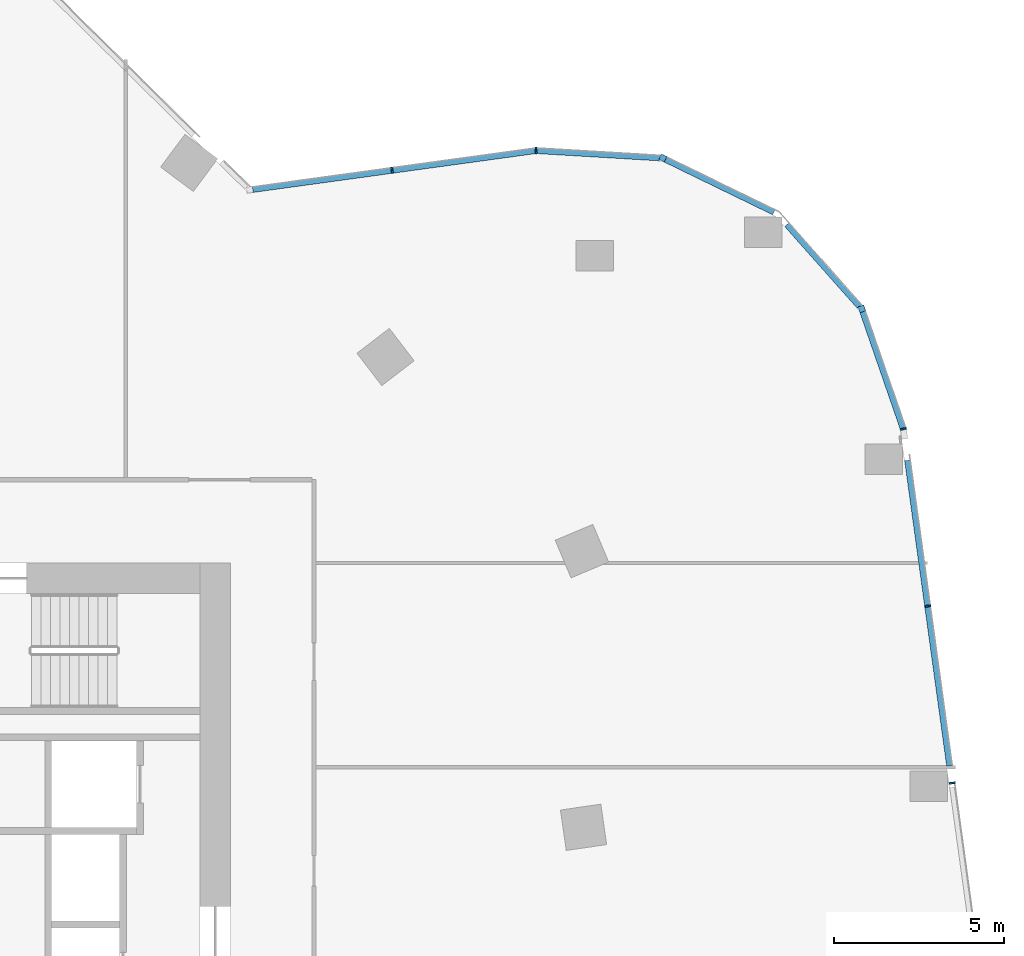
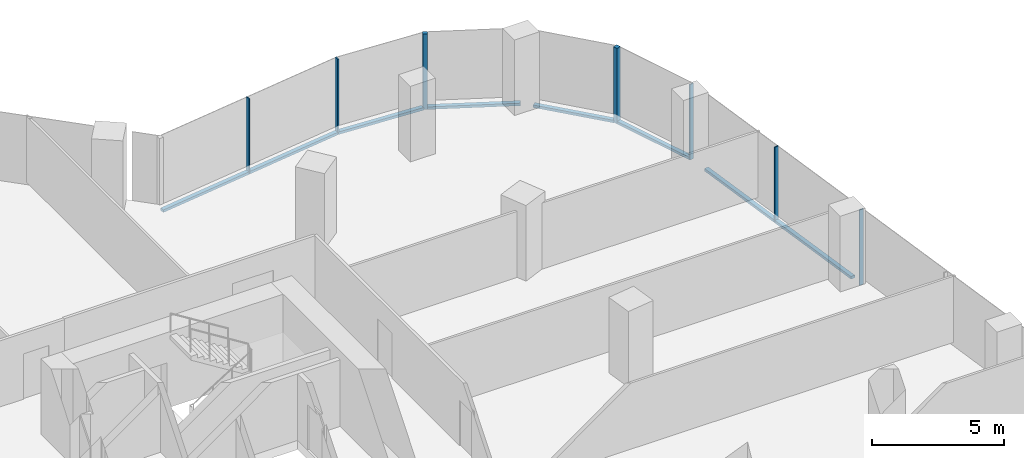
# One storey, part 11 of 27: 13 members, 6 elements without a shape of their own.
"""IFC4 building model written with IfcOpenShell, lengths in metres."""

import ifcopenshell
import ifcopenshell.guid

model = None  # the IFC model being written
_history = None  # IfcOwnerHistory: only IFC2X3 demands one
_inside = {}  # id of a spatial element -> (the spatial element, [elements in it])
_under = {}  # id of a project, library or spatial element -> (it, [spatial elements below it])
_declared = {}  # id of a project -> (the project, [libraries it declares])
_typed = {}  # id of a type object -> (the type object, [elements of that type])
_made_of = {}  # id of a material, layer set ... -> (it, [elements and type objects made of it])


def new_model(schema):
    """Start an empty IFC model of exactly this schema.

    Asked for "IFC4X3", IfcOpenShell would pick the latest addendum, in which some entities
    have other attributes; the version numbers below select the first issue.
    IFC2X3 requires an IfcOwnerHistory on every rooted entity: one is made here for all.
    """
    global model, _history
    if schema == "IFC4X3":
        model = ifcopenshell.file(schema_version=(4, 3, 0, 0))
    else:
        model = ifcopenshell.file(schema=schema)
    _inside.clear()
    _under.clear()
    _declared.clear()
    _typed.clear()
    _made_of.clear()
    _history = None
    if model.schema == "IFC2X3":
        org = make("IfcOrganization", Name="unknown")
        user = make(
            "IfcPersonAndOrganization",
            ThePerson=make("IfcPerson", FamilyName="unknown"),
            TheOrganization=org,
        )
        app = make(
            "IfcApplication",
            ApplicationDeveloper=org,
            Version="unknown",
            ApplicationFullName="unknown",
            ApplicationIdentifier="unknown",
        )
        _history = make(
            "IfcOwnerHistory",
            OwningUser=user,
            OwningApplication=app,
            ChangeAction="ADDED",
            CreationDate=0,
        )
    return model


def make(cls, **values):
    """One entity of the class cls with the attributes given. An attribute that is None is left unset."""
    return model.create_entity(
        cls, **{name: value for name, value in values.items() if value is not None}
    )


def rooted(cls, **values):
    """An entity with a GlobalId (a new one), such as an element, a storey or a relation."""
    return make(cls, GlobalId=ifcopenshell.guid.new(), OwnerHistory=_history, **values)


def si_unit(unit_type, name, prefix=None):
    """IfcSIUnit, for example si_unit("LENGTHUNIT", "METRE", prefix="MILLI")."""
    return make("IfcSIUnit", UnitType=unit_type, Prefix=prefix, Name=name)


def assignment(units):
    """IfcUnitAssignment: the units of a project."""
    return None if units is None else make("IfcUnitAssignment", Units=units)


def point(xyz):
    """IfcCartesianPoint."""
    return None if xyz is None else make("IfcCartesianPoint", Coordinates=xyz)


def direction(xyz):
    """IfcDirection."""
    return None if xyz is None else make("IfcDirection", DirectionRatios=xyz)


def frame(location, z_axis=None, x_axis=None):
    """IfcAxis2Placement3D, a coordinate frame: its origin and axes. An axis left out is left unset."""
    return make(
        "IfcAxis2Placement3D",
        Location=point(location),
        Axis=direction(z_axis),
        RefDirection=direction(x_axis),
    )


def frame_2d(location, x_axis=None):
    """IfcAxis2Placement2D, a coordinate frame in the plane: its origin and x axis."""
    return make(
        "IfcAxis2Placement2D", Location=point(location), RefDirection=direction(x_axis)
    )


def origin():
    """The frame at (0, 0, 0) with its axes left unset."""
    return frame((0.0, 0.0, 0.0))


def origin_2d():
    """The frame at (0, 0) in the plane with its x axis left unset."""
    return frame_2d((0.0, 0.0))


def place(relative_to, where):
    """IfcLocalPlacement: puts the frame where relative to a parent placement (None: the world)."""
    return make(
        "IfcLocalPlacement", PlacementRelTo=relative_to, RelativePlacement=where
    )


def context(
    kind, dimensions, precision=None, world=None, true_north=None, identifier=None
):
    """IfcGeometricRepresentationContext, for example the 3D "Model" context."""
    return make(
        "IfcGeometricRepresentationContext",
        ContextIdentifier=identifier,
        ContextType=kind,
        CoordinateSpaceDimension=dimensions,
        Precision=precision,
        WorldCoordinateSystem=world,
        TrueNorth=true_north,
    )


def subcontext(parent, identifier, kind, view, scale=None):
    """IfcGeometricRepresentationSubContext, for example "Body" below "Model"."""
    return make(
        "IfcGeometricRepresentationSubContext",
        ContextIdentifier=identifier,
        ContextType=kind,
        ParentContext=parent,
        TargetScale=scale,
        TargetView=view,
    )


def project(units=None, contexts=None):
    """IfcProject with its units and contexts."""
    return rooted(
        "IfcProject",
        Name="project",
        RepresentationContexts=contexts,
        UnitsInContext=assignment(units),
    )


def spatial(cls, under=None, at=None, **own):
    """A site, building, storey or space (cls), placed at a placement, below another one or the project."""
    s = rooted(cls, ObjectPlacement=at, **own)
    if under is not None:
        _under.setdefault(under.id(), (under, []))[1].append(s)
    return s


def profile(cls, at=None, kind="AREA", **sizes):
    """A parametric profile (cls). Its sizes go by their IFC names, for example OverallWidth=200.0."""
    return make(cls, ProfileType=kind, Position=at, **sizes)


def rectangle(**sizes):
    """IfcRectangleProfileDef."""
    return profile("IfcRectangleProfileDef", **sizes)


def extrude(swept, where, along, depth):
    """IfcExtrudedAreaSolid: the profile swept, set in the frame where, extruded along a direction by depth."""
    return make(
        "IfcExtrudedAreaSolid",
        SweptArea=swept,
        Position=where,
        ExtrudedDirection=direction(along),
        Depth=depth,
    )


def shape(context_of_items, identifier, shape_type, items):
    """IfcShapeRepresentation: the items that make up one representation, for example the "Body"."""
    return make(
        "IfcShapeRepresentation",
        ContextOfItems=context_of_items,
        RepresentationIdentifier=identifier,
        RepresentationType=shape_type,
        Items=items,
    )


def material(Name=None, Category=None):
    """IfcMaterial."""
    return make("IfcMaterial", Name=Name, Category=Category)


def material_profile(
    of_material, cross_section, Name=None, Category=None, Priority=None
):
    """IfcMaterialProfile: a cross section and its material."""
    return make(
        "IfcMaterialProfile",
        Name=Name,
        Material=of_material,
        Profile=cross_section,
        Priority=Priority,
        Category=Category,
    )


def profile_set(profiles, Name=None, composite=None):
    """IfcMaterialProfileSet."""
    return make(
        "IfcMaterialProfileSet",
        Name=Name,
        MaterialProfiles=profiles,
        CompositeProfile=composite,
    )


def made_of(thing, what):
    """Note that an element or type object is made of a material, layer set ...; save() writes the relation."""
    if what is not None:
        _made_of.setdefault(what.id(), (what, []))[1].append(thing)
    return thing


def type_object(cls, material=None, **own):
    """A type object (cls), such as IfcWallType, which elements share."""
    return made_of(rooted(cls, **own), material)


def element(
    cls,
    number,
    at=None,
    inside=None,
    cuts=None,
    type_object=None,
    material=None,
    context=None,
    identifier="Body",
    shape_type=None,
    held_by="IfcProductDefinitionShape",
    body=None,
    shapes=None,
    **own,
):
    """One element of the class cls, such as IfcWall. Its Tag is "e" and its number.

    at: its placement. inside: the storey or other place that contains it. cuts: it is an
    opening in that element (IfcRelVoidsElement). A single representation is given by context,
    identifier, shape_type and body (its items); several are given by shapes. held_by: the class
    of the entity that holds the representations. save() writes the other relations.
    """
    e = rooted(cls, Tag="e%d" % number, ObjectPlacement=at, **own)
    if body is not None:
        shapes = [shape(context, identifier, shape_type, body)]
    if shapes is not None:
        e.Representation = make(held_by, Representations=shapes)
    if inside is not None:
        _inside.setdefault(inside.id(), (inside, []))[1].append(e)
    if cuts is not None:
        rooted(
            "IfcRelVoidsElement", RelatingBuildingElement=cuts, RelatedOpeningElement=e
        )
    if type_object is not None:
        _typed.setdefault(type_object.id(), (type_object, []))[1].append(e)
    return made_of(e, material)


def aggregate(whole, parts):
    """IfcRelAggregates: a whole, such as a stair, and the parts it consists of."""
    return rooted("IfcRelAggregates", RelatingObject=whole, RelatedObjects=parts)


def save(model, path):
    """Write the relations noted so far, then the file.

    IfcRelAggregates (storeys below a building ...), IfcRelContainedInSpatialStructure (elements
    in a storey), IfcRelDefinesByType, IfcRelAssociatesMaterial and IfcRelDeclares: one each for
    every whole, place, type object, material and project.
    """
    for whole, parts in _under.values():
        aggregate(whole, parts)
    for where, things in _inside.values():
        rooted(
            "IfcRelContainedInSpatialStructure",
            RelatedElements=things,
            RelatingStructure=where,
        )
    for kind, things in _typed.values():
        rooted("IfcRelDefinesByType", RelatedObjects=things, RelatingType=kind)
    for what, things in _made_of.values():
        rooted("IfcRelAssociatesMaterial", RelatedObjects=things, RelatingMaterial=what)
    for by, libraries in _declared.values():
        rooted("IfcRelDeclares", RelatingContext=by, RelatedDefinitions=libraries)
    model.write(path)


model = new_model("IFC4")

# Units and contexts
model_context = context("Model", 3, precision=1e-05, world=origin(), true_north=direction((0.0, 1.0)))
body_context = subcontext(model_context, "Body", "Model", "MODEL_VIEW")
ifc_project = project(units=[si_unit("LENGTHUNIT", "METRE"), si_unit("AREAUNIT", "SQUARE_METRE"), si_unit("VOLUMEUNIT", "CUBIC_METRE"), si_unit("PLANEANGLEUNIT", "RADIAN"), si_unit("MASSUNIT", "GRAM", prefix="KILO")], contexts=[model_context])

# Site, building, storey
site_placement = place(None, origin())
site = spatial("IfcSite", under=ifc_project, at=site_placement, CompositionType="ELEMENT")
building_placement = place(site_placement, origin())
building = spatial("IfcBuilding", under=site, at=building_placement, Name="Orlundy Tower", CompositionType="ELEMENT")
storey_placement = place(building_placement, frame((0.0, 0.0, 195.60009765625)))
storey = spatial("IfcBuildingStorey", under=building, at=storey_placement, Name="L51", CompositionType="ELEMENT", Elevation=195.60009765625)

# Curtain wall, member
ifc_material_1 = material(Name="Aluminium bronze anodised", Category="aluminium")
curtain_wall_type = type_object("IfcCurtainWallType", Name="CW1 wall", PredefinedType="NOTDEFINED", material=ifc_material_1)
curtain_wall_1_placement = place(storey_placement, origin())
curtain_wall_1 = element("IfcCurtainWall", 1, at=curtain_wall_1_placement, inside=storey, type_object=curtain_wall_type, Name="CW1 run 08", PredefinedType="NOTDEFINED")
ifc_material_2 = material(Name="Aluminium bronze anodised", Category="aluminium")
ifc_material_profile_1 = material_profile(ifc_material_2, rectangle(XDim=0.179931640625, YDim=0.179931640625, at=origin_2d()), Name="CW1 corner post 180x180")
ifc_profile_set_1 = profile_set([ifc_material_profile_1], Name="Aluminium bronze anodised")
member_type_1 = type_object("IfcMemberType", Name="CW1 corner post 180x180", PredefinedType="MULLION", material=ifc_profile_set_1)
member_1_placement = place(storey_placement, frame((31.708251953125, 23.90673828125, -0.420166015625), z_axis=(0.0, 0.0, 1.0), x_axis=(0.43725937423, 0.89933544334, 0.0)))
member_1 = element("IfcMember", 2, at=member_1_placement, type_object=member_type_1, Name="CW1 mullion 29", PredefinedType="MULLION", context=body_context, shape_type="SweptSolid", body=[
    extrude(rectangle(XDim=0.179931640625, YDim=0.179931640625, at=origin_2d()), origin(), (0.0, 0.0, 1.0), 3.5),
])

curtain_wall_2_placement = place(storey_placement, origin())
curtain_wall_2 = element("IfcCurtainWall", 3, at=curtain_wall_2_placement, inside=storey, type_object=curtain_wall_type, Name="CW1 run 010", PredefinedType="NOTDEFINED")
member_2_placement = place(storey_placement, frame((37.55810546875, 19.471435546875, -0.420166015625), z_axis=(0.0, 0.0, 1.0), x_axis=(0.945034174317, 0.32697157273, 0.0)))
member_2 = element("IfcMember", 4, at=member_2_placement, type_object=member_type_1, Name="CW1 mullion 31", PredefinedType="MULLION", context=body_context, shape_type="SweptSolid", body=[
    extrude(rectangle(XDim=0.179931640625, YDim=0.179931640625, at=origin_2d()), origin(), (0.0, 0.0, 1.0), 3.5),
])

curtain_wall_3_placement = place(storey_placement, origin())
curtain_wall_3 = element("IfcCurtainWall", 5, at=curtain_wall_3_placement, inside=storey, type_object=curtain_wall_type, Name="CW1 run 06", PredefinedType="NOTDEFINED")
ifc_material_3 = material(Name="Aluminium bronze anodised", Category="aluminium")
ifc_material_profile_2 = material_profile(ifc_material_3, rectangle(XDim=0.179931640625, YDim=0.050048828125, at=origin_2d()), Name="CW1 mullion 50x180")
ifc_profile_set_2 = profile_set([ifc_material_profile_2], Name="Aluminium bronze anodised")
member_type_2 = type_object("IfcMemberType", Name="CW1 mullion 50x180", PredefinedType="MULLION", material=ifc_profile_set_2)
member_3_placement = place(storey_placement, frame((23.746337890625, 23.546142578125, -0.420166015625), z_axis=(0.0, 0.0, 1.0), x_axis=(-0.136185270904, 0.990683386349, 0.0)))
member_3 = element("IfcMember", 6, at=member_3_placement, type_object=member_type_2, Name="CW1 mullion 27", PredefinedType="MULLION", context=body_context, shape_type="SweptSolid", body=[
    extrude(rectangle(XDim=0.179931640625, YDim=0.050048828125, at=origin_2d()), origin(), (0.0, 0.0, 1.0), 3.5),
])

curtain_wall_4_placement = place(storey_placement, origin())
curtain_wall_4 = element("IfcCurtainWall", 7, at=curtain_wall_4_placement, inside=storey, type_object=curtain_wall_type, Name="CW1 run 07", PredefinedType="NOTDEFINED")
member_4_placement = place(storey_placement, frame((27.9814453125, 24.12841796875, -0.420166015625), z_axis=(0.0, 0.0, 1.0), x_axis=(-0.038600530581, 0.9992547218, 0.0)))
member_4 = element("IfcMember", 8, at=member_4_placement, type_object=member_type_2, Name="CW1 mullion 28", PredefinedType="MULLION", context=body_context, shape_type="SweptSolid", body=[
    extrude(rectangle(XDim=0.179931640625, YDim=0.050048828125, at=origin_2d()), origin(), (0.0, 0.0, 1.0), 3.5),
])

# Curtain wall, members
curtain_wall_5_placement = place(storey_placement, origin())
curtain_wall_5 = element("IfcCurtainWall", 9, at=curtain_wall_5_placement, inside=storey, type_object=curtain_wall_type, Name="CW1 run 011", PredefinedType="NOTDEFINED")
member_5_placement = place(storey_placement, frame((38.779052734375, 15.943115234375, -0.420166015625), z_axis=(0.0, 0.0, 1.0), x_axis=(0.972536597982, 0.232750006628, 0.0)))
member_5 = element("IfcMember", 10, at=member_5_placement, type_object=member_type_2, Name="CW1 mullion 32", PredefinedType="MULLION", context=body_context, shape_type="SweptSolid", body=[
    extrude(rectangle(XDim=0.179931640625, YDim=0.050048828125, at=origin_2d()), origin(), (0.0, 0.0, 1.0), 3.5),
])
member_6_placement = place(storey_placement, frame((39.49560546875, 10.733154296875, -0.420166015625), z_axis=(0.0, 0.0, 1.0), x_axis=(0.990669519619, 0.13628610677, 0.0)))
member_6 = element("IfcMember", 11, at=member_6_placement, type_object=member_type_2, Name="CW1 mullion 33", PredefinedType="MULLION", context=body_context, shape_type="SweptSolid", body=[
    extrude(rectangle(XDim=0.179931640625, YDim=0.050048828125, at=origin_2d()), origin(), (0.0, 0.0, 1.0), 3.5),
])
member_7_placement = place(storey_placement, frame((40.211181640625, 5.5322265625, -0.420166015625), z_axis=(0.0, 0.0, 1.0), x_axis=(0.990669519619, 0.13628610677, 0.0)))
member_7 = element("IfcMember", 12, at=member_7_placement, type_object=member_type_2, Name="CW1 mullion 34", PredefinedType="MULLION", context=body_context, shape_type="SweptSolid", body=[
    extrude(rectangle(XDim=0.179931640625, YDim=0.050048828125, at=origin_2d()), origin(), (0.0, 0.0, 1.0), 3.5),
])

# Member
ifc_material_4 = material(Name="Aluminium bronze anodised", Category="aluminium")
ifc_material_profile_3 = material_profile(ifc_material_4, rectangle(XDim=0.179931640625, YDim=0.1201171875, at=origin_2d()), Name="CW1 transom 180x120")
ifc_profile_set_3 = profile_set([ifc_material_profile_3], Name="Aluminium bronze anodised")
member_type_3 = type_object("IfcMemberType", Name="CW1 transom 180x120", PredefinedType="USERDEFINED", material=ifc_profile_set_3)
member_8_placement = place(storey_placement, frame((19.65283203125, 22.9833984375, -0.360107421875), z_axis=(0.990681394628, 0.136199758946, 0.0), x_axis=(-0.136199758946, 0.990681394628, 0.0)))
member_8 = element("IfcMember", 13, at=member_8_placement, type_object=member_type_3, Name="CW1 transom", ObjectType="TRANSOM", PredefinedType="USERDEFINED", context=body_context, shape_type="SweptSolid", body=[
    extrude(rectangle(XDim=0.179931640625, YDim=0.1201171875, at=origin_2d()), origin(), (0.0, 0.0, 1.0), 8.3818359375),
])

aggregate(curtain_wall_3, [member_3, member_8])

member_9_placement = place(storey_placement, frame((28.006591796875, 24.126953125, -0.360107421875), z_axis=(0.998236396732, -0.059364098912, 0.0), x_axis=(0.059364098912, 0.998236396732, 0.0)))
member_9 = element("IfcMember", 14, at=member_9_placement, type_object=member_type_3, Name="CW1 transom", ObjectType="TRANSOM", PredefinedType="USERDEFINED", context=body_context, shape_type="SweptSolid", body=[
    extrude(rectangle(XDim=0.179931640625, YDim=0.1201171875, at=origin_2d()), origin(), (0.0, 0.0, 1.0), 3.61083984375),
])

aggregate(curtain_wall_4, [member_4, member_9])

member_10_placement = place(storey_placement, frame((31.7890625, 23.867431640625, -0.360107421875), z_axis=(0.899349404958, -0.437230657435, 0.0), x_axis=(0.437230657435, 0.899349404958, 0.0)))
member_10 = element("IfcMember", 15, at=member_10_placement, type_object=member_type_3, Name="CW1 transom", ObjectType="TRANSOM", PredefinedType="USERDEFINED", context=body_context, shape_type="SweptSolid", body=[
    extrude(rectangle(XDim=0.179931640625, YDim=0.1201171875, at=origin_2d()), origin(), (0.0, 0.0, 1.0), 3.541259765625),
])

aggregate(curtain_wall_1, [member_1, member_10])

# Curtain wall, member
curtain_wall_6_placement = place(storey_placement, origin())
curtain_wall_6 = element("IfcCurtainWall", 16, at=curtain_wall_6_placement, inside=storey, type_object=curtain_wall_type, Name="CW1 run 09", PredefinedType="NOTDEFINED")
member_11_placement = place(storey_placement, frame((35.35595703125, 21.952880859375, -0.360107421875), z_axis=(0.663780171521, -0.747927726385, 0.0), x_axis=(0.747927726385, 0.663780171521, 0.0)))
member_11 = element("IfcMember", 17, at=member_11_placement, type_object=member_type_3, Name="CW1 transom", ObjectType="TRANSOM", PredefinedType="USERDEFINED", context=body_context, shape_type="SweptSolid", body=[
    extrude(rectangle(XDim=0.179931640625, YDim=0.1201171875, at=origin_2d()), origin(), (0.0, 0.0, 1.0), 3.220458984375),
])
aggregate(curtain_wall_6, [member_11])

# Member
member_12_placement = place(storey_placement, frame((37.587646484375, 19.38623046875, -0.360107421875), z_axis=(0.326976148549, -0.945032591121, 0.0), x_axis=(0.945032591121, 0.326976148549, 0.0)))
member_12 = element("IfcMember", 18, at=member_12_placement, type_object=member_type_3, Name="CW1 transom", ObjectType="TRANSOM", PredefinedType="USERDEFINED", context=body_context, shape_type="SweptSolid", body=[
    extrude(rectangle(XDim=0.179931640625, YDim=0.1201171875, at=origin_2d()), origin(), (0.0, 0.0, 1.0), 3.618408203125),
])

aggregate(curtain_wall_2, [member_2, member_12])

member_13_placement = place(storey_placement, frame((38.906005859375, 15.01953125, -0.360107421875), z_axis=(0.136288378203, -0.990669207136, 0.0), x_axis=(0.990669207136, 0.136288378203, 0.0)))
member_13 = element("IfcMember", 19, at=member_13_placement, type_object=member_type_3, Name="CW1 transom", ObjectType="TRANSOM", PredefinedType="USERDEFINED", context=body_context, shape_type="SweptSolid", body=[
    extrude(rectangle(XDim=0.179931640625, YDim=0.1201171875, at=origin_2d()), origin(), (0.0, 0.0, 1.0), 9.06591796875),
])

aggregate(curtain_wall_5, [member_5, member_6, member_7, member_13])

save(model, "model.ifc")
